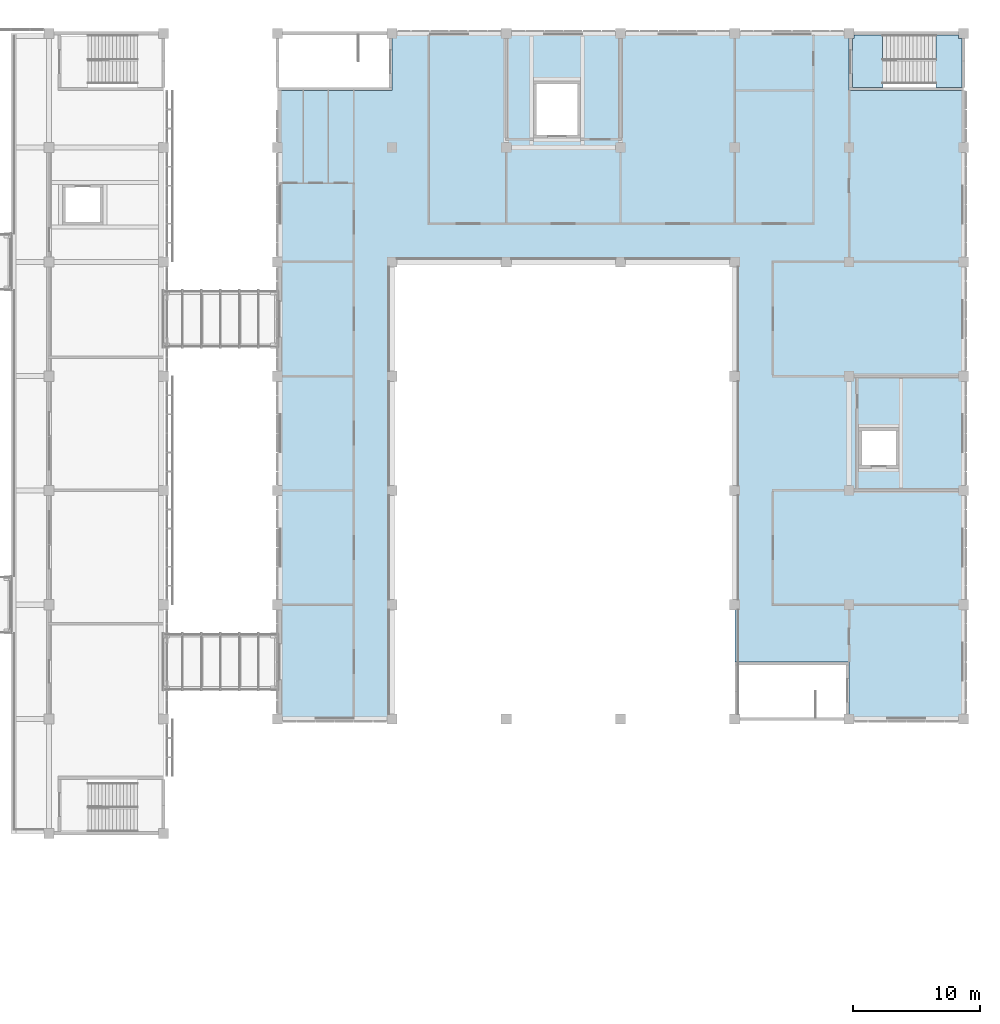
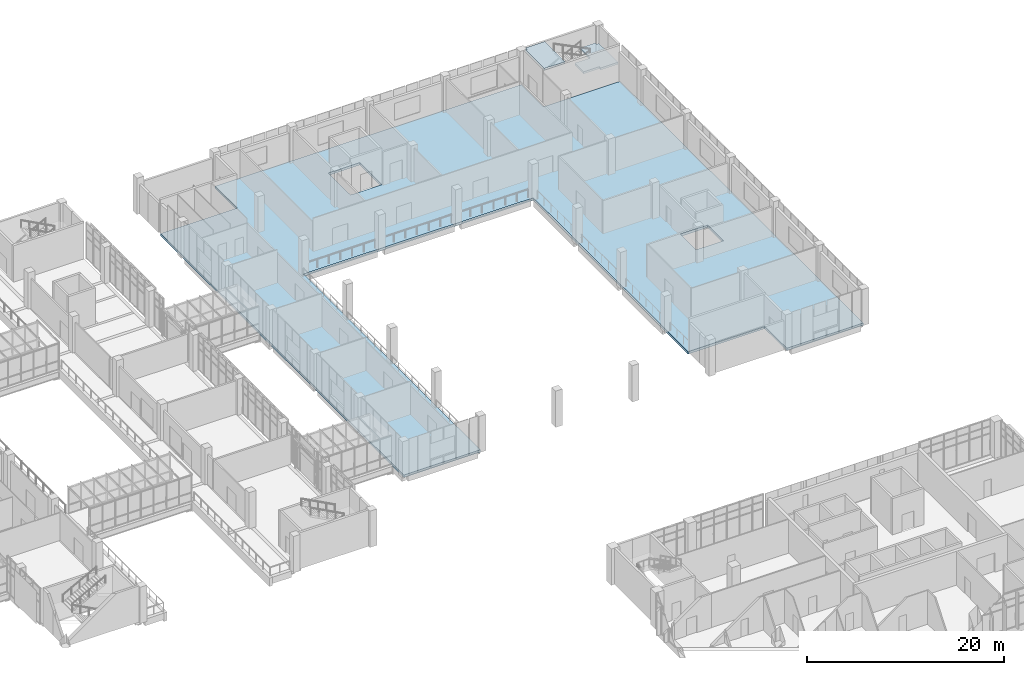
# One storey, part 54 of 88: 3 slabs, 1 element without a shape of its own.
"""IFC4 building model written with IfcOpenShell, lengths in metres."""

from ifc_helpers import new_model, si_unit, direction, frame, origin, place, context, subcontext, project, spatial, polyline, outline, extrude, material, layer, layer_set, type_object, element, aggregate, save


model = new_model("IFC4")

# Units and contexts
model_context = context("Model", 3, precision=1e-05, world=origin(), true_north=direction((0.0, 1.0)))
body_context = subcontext(model_context, "Body", "Model", "MODEL_VIEW")
ifc_project = project(units=[si_unit("LENGTHUNIT", "METRE"), si_unit("AREAUNIT", "SQUARE_METRE"), si_unit("VOLUMEUNIT", "CUBIC_METRE"), si_unit("PLANEANGLEUNIT", "RADIAN"), si_unit("MASSUNIT", "GRAM", prefix="KILO")], contexts=[model_context])

# Site, building, storey
site_placement = place(None, origin())
site = spatial("IfcSite", under=ifc_project, at=site_placement, CompositionType="ELEMENT")
building_placement = place(site_placement, origin())
building = spatial("IfcBuilding", under=site, at=building_placement, Name="Guidao Yard Department Store", CompositionType="ELEMENT")
storey_placement = place(building_placement, frame((0.0, 0.0, 6.0)))
storey = spatial("IfcBuildingStorey", under=building, at=storey_placement, Name="L01", CompositionType="ELEMENT", Elevation=6.0)

# Slab
ifc_material_1 = material(Name="Concrete C35", Category="concrete")
ifc_layer_1 = layer(ifc_material_1, 0.300048828125)
ifc_layer_set_1 = layer_set([ifc_layer_1], Name="Flat slab 300 C35")
slab_type_1 = type_object("IfcSlabType", Name="Flat slab 300 C35", PredefinedType="FLOOR", material=ifc_layer_set_1)
slab_1_placement = place(storey_placement, frame((0.0, 0.0, -0.300048828125)))
element("IfcSlab", 1, at=slab_1_placement, inside=storey, type_object=slab_type_1, Name="Slab L01-F", PredefinedType="FLOOR", context=body_context, shape_type="SweptSolid", body=[
    extrude(outline(polyline([(162.0, 54.0), (162.0, 58.5), (153.0, 58.5), (153.0, 90.0), (126.0, 90.0), (126.0, 54.0), (117.0, 54.0), (117.0, 103.5), (126.0, 103.5), (126.0, 108.0), (162.0, 108.0), (162.0, 103.5), (171.0, 103.5), (171.0, 54.0), (162.0, 54.0)]), holes=[polyline([(165.949951171875, 73.75), (165.949951171875, 76.949951171875), (162.75, 76.949951171875), (162.75, 73.75), (165.949951171875, 73.75)]), polyline([(137.14990234375, 99.75), (140.85009765625, 99.75), (140.85009765625, 104.25), (137.14990234375, 104.25), (137.14990234375, 99.75)])]), origin(), (0.0, 0.0, 1.0), 0.300048828125),
])

# Stair, slabs
ifc_material_2 = material(Name="Concrete C35", Category="concrete")
stair_type = type_object("IfcStairType", Name="Stair half-turn two-flight 1800 wide 4.5 m rise", PredefinedType="HALF_TURN_STAIR", material=ifc_material_2)
stair_placement = place(storey_placement, origin())
stair = element("IfcStair", 2, at=stair_placement, inside=storey, type_object=stair_type, Name="Stair F2 L01 to L02", PredefinedType="HALF_TURN_STAIR")
ifc_material_3 = material(Name="Concrete C35", Category="concrete")
ifc_layer_2 = layer(ifc_material_3, 0.25)
ifc_layer_set_2 = layer_set([ifc_layer_2], Name="Stair landing RC 250 C35")
slab_type_2 = type_object("IfcSlabType", Name="Stair landing RC 250 C35", PredefinedType="LANDING", material=ifc_layer_set_2)
slab_2_placement = place(storey_placement, frame((0.0, 0.0, 2.0)))
slab_2 = element("IfcSlab", 3, at=slab_2_placement, type_object=slab_type_2, Name="SF2-L01 landing 1", PredefinedType="LANDING", context=body_context, shape_type="SweptSolid", body=[
    extrude(outline(polyline([(168.840087890625, 105.824951171875), (168.840087890625, 107.875), (168.85009765625, 107.875), (170.60009765625, 107.875), (170.60009765625, 107.60009765625), (170.875, 107.60009765625), (170.875, 103.75), (168.85009765625, 103.75), (168.85009765625, 104.02490234375), (167.02001953125, 104.02490234375), (167.02001953125, 105.824951171875), (168.840087890625, 105.824951171875)])), origin(), (0.0, 0.0, 1.0), 0.25),
])
slab_3_placement = place(storey_placement, frame((0.0, 0.0, 4.25)))
slab_3 = element("IfcSlab", 4, at=slab_3_placement, type_object=slab_type_2, Name="SF2-L01 landing 2", PredefinedType="LANDING", context=body_context, shape_type="SweptSolid", body=[
    extrude(outline(polyline([(162.25, 103.75), (162.25, 105.824951171875), (162.25, 107.60009765625), (162.39990234375, 107.60009765625), (162.39990234375, 107.875), (164.64990234375, 107.875), (164.64990234375, 105.824951171875), (164.659912109375, 105.824951171875), (164.659912109375, 103.75), (162.25, 103.75)])), origin(), (0.0, 0.0, 1.0), 0.25),
])
aggregate(stair, [slab_2, slab_3])

save(model, "model.ifc")
